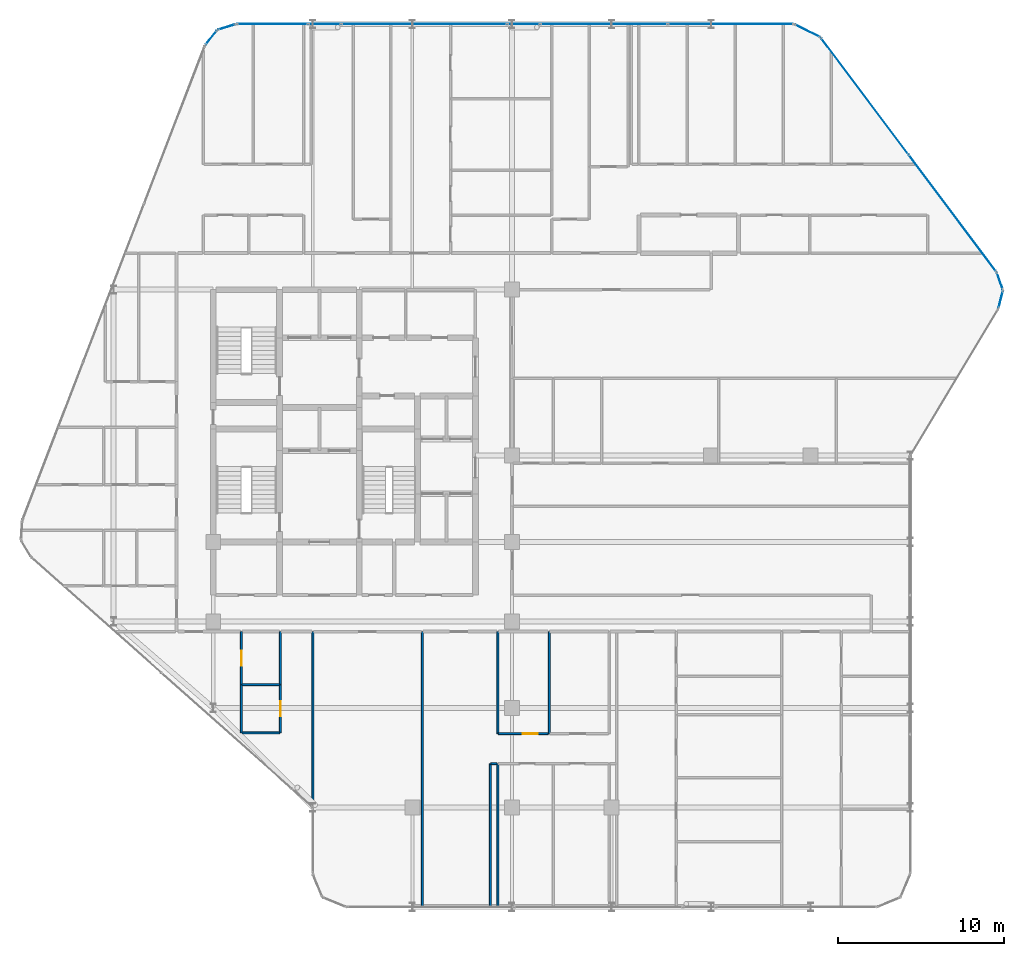
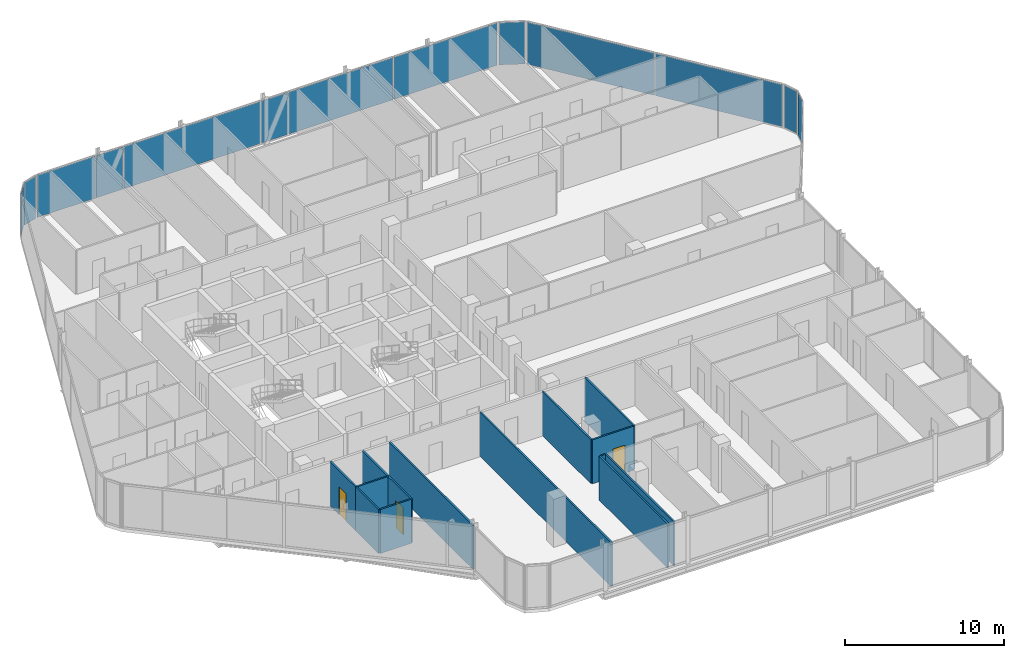
# One storey, part 24 of 31: 14 walls, 13 plates, 3 doors, 3 openings, 11 elements without a shape of their own.
"""IFC4 building model written with IfcOpenShell, lengths in metres."""

from ifc_helpers import new_model, si_unit, direction, frame, frame_2d, origin, origin_2d, place, context, subcontext, project, spatial, rectangle, extrude, material, layer, layer_set, type_object, element, fill, aggregate, save


model = new_model("IFC4")

# Units and contexts
model_context = context("Model", 3, precision=1e-05, world=origin(), true_north=direction((0.0, 1.0)))
body_context = subcontext(model_context, "Body", "Model", "MODEL_VIEW")
ifc_project = project(units=[si_unit("LENGTHUNIT", "METRE"), si_unit("AREAUNIT", "SQUARE_METRE"), si_unit("VOLUMEUNIT", "CUBIC_METRE"), si_unit("PLANEANGLEUNIT", "RADIAN"), si_unit("MASSUNIT", "GRAM", prefix="KILO")], contexts=[model_context])

# Site, building, storey
site_placement = place(None, origin())
site = spatial("IfcSite", under=ifc_project, at=site_placement, CompositionType="ELEMENT")
building_placement = place(site_placement, origin())
building = spatial("IfcBuilding", under=site, at=building_placement, Name="Keshet Zoharim Tower", CompositionType="ELEMENT")
storey_placement = place(building_placement, frame((0.0, 0.0, 129.800048828125)))
storey = spatial("IfcBuildingStorey", under=building, at=storey_placement, Name="L31", CompositionType="ELEMENT", Elevation=129.800048828125)

# Curtain wall, plate
ifc_material_1 = material(Name="Aluminium 6063-T6", Category="aluminium")
ifc_layer_1 = layer(ifc_material_1, 0.159912109375)
ifc_layer_set_1 = layer_set([ifc_layer_1], Name="Aluminium 6063-T6")
curtain_wall_type = type_object("IfcCurtainWallType", Name="CW-SYS-03", PredefinedType="NOTDEFINED", material=ifc_layer_set_1)
curtain_wall_1_placement = place(storey_placement, origin())
curtain_wall_1 = element("IfcCurtainWall", 1, at=curtain_wall_1_placement, inside=storey, type_object=curtain_wall_type, Name="L31 Unitised Curtain Wall 11", PredefinedType="NOTDEFINED")
ifc_material_2 = material(Name="Insulated Low-E Clear Glass", Category="glass")
ifc_layer_2 = layer(ifc_material_2, 0.035888671875)
ifc_layer_set_2 = layer_set([ifc_layer_2], Name="Insulated Low-E Clear Glass")
plate_type_1 = type_object("IfcPlateType", Name="CWP-01", PredefinedType="CURTAIN_PANEL", material=ifc_layer_set_2)
plate_1_placement = place(storey_placement, frame((14.8740234375, 53.08349609375, 0.06982421875), z_axis=(0.0, 0.0, 1.0), x_axis=(0.619124525989, 0.785292825205, 0.0)))
plate_1 = element("IfcPlate", 2, at=plate_1_placement, type_object=plate_type_1, Name="CW-03 panel 1.1", PredefinedType="CURTAIN_PANEL", context=body_context, shape_type="SweptSolid", body=[
    extrude(rectangle(XDim=1.045654296875, YDim=0.035888671875, at=origin_2d()), origin(), (0.0, 0.0, 1.0), 3.2451171875),
])
aggregate(curtain_wall_1, [plate_1])

curtain_wall_2_placement = place(storey_placement, origin())
curtain_wall_2 = element("IfcCurtainWall", 3, at=curtain_wall_2_placement, inside=storey, type_object=curtain_wall_type, Name="L31 Unitised Curtain Wall 12", PredefinedType="NOTDEFINED")
plate_2_placement = place(storey_placement, frame((15.8076171875, 53.724609375, 0.06982421875), z_axis=(0.0, 0.0, 1.0), x_axis=(0.955212151288, 0.295921857984, 0.0)))
plate_2 = element("IfcPlate", 4, at=plate_2_placement, type_object=plate_type_1, Name="CW-03 panel 1.1", PredefinedType="CURTAIN_PANEL", context=body_context, shape_type="SweptSolid", body=[
    extrude(rectangle(XDim=1.046142578125, YDim=0.035888671875, at=origin_2d()), origin(), (0.0, 0.0, 1.0), 3.2451171875),
])
aggregate(curtain_wall_2, [plate_2])

curtain_wall_3_placement = place(storey_placement, origin())
curtain_wall_3 = element("IfcCurtainWall", 5, at=curtain_wall_3_placement, inside=storey, type_object=curtain_wall_type, Name="L31 Unitised Curtain Wall 13", PredefinedType="NOTDEFINED")
ifc_layer_3 = layer(ifc_material_2, 0.031982421875)
ifc_layer_set_3 = layer_set([ifc_layer_3], Name="Insulated Low-E Clear Glass")
plate_type_2 = type_object("IfcPlateType", Name="CWP-02", PredefinedType="CURTAIN_PANEL", material=ifc_layer_set_3)
plate_3_placement = place(storey_placement, frame((18.56298828125, 53.89990234375, 0.06982421875), z_axis=(0.0, 0.0, 1.0), x_axis=(1.0, 0.0, 0.0)))
plate_3 = element("IfcPlate", 6, at=plate_3_placement, type_object=plate_type_2, Name="CW-03 panel 1.1", PredefinedType="CURTAIN_PANEL", context=body_context, shape_type="SweptSolid", body=[
    extrude(rectangle(XDim=4.23779296875, YDim=0.031982421875, at=origin_2d()), origin(), (0.0, 0.0, 1.0), 3.2451171875),
])
aggregate(curtain_wall_3, [plate_3])

curtain_wall_4_placement = place(storey_placement, origin())
curtain_wall_4 = element("IfcCurtainWall", 7, at=curtain_wall_4_placement, inside=storey, type_object=curtain_wall_type, Name="L31 Unitised Curtain Wall 13 Part 3", PredefinedType="NOTDEFINED")
plate_4_placement = place(storey_placement, frame((27.715087890625, 53.89990234375, 0.06982421875), z_axis=(0.0, 0.0, 1.0), x_axis=(1.0, 0.0, 0.0)))
plate_4 = element("IfcPlate", 8, at=plate_4_placement, type_object=plate_type_2, Name="CW-03 panel 1.1", PredefinedType="CURTAIN_PANEL", context=body_context, shape_type="SweptSolid", body=[
    extrude(rectangle(XDim=9.933837890625, YDim=0.031982421875, at=origin_2d()), origin(), (0.0, 0.0, 1.0), 3.2451171875),
])
aggregate(curtain_wall_4, [plate_4])

# Curtain wall, plates
curtain_wall_5_placement = place(storey_placement, origin())
curtain_wall_5 = element("IfcCurtainWall", 9, at=curtain_wall_5_placement, inside=storey, type_object=curtain_wall_type, Name="L31 Unitised Curtain Wall 13 Part 5", PredefinedType="NOTDEFINED")
plate_5_placement = place(storey_placement, frame((38.54345703125, 53.89990234375, 0.06982421875), z_axis=(0.0, 0.0, 1.0), x_axis=(1.0, 0.0, 0.0)))
plate_5 = element("IfcPlate", 10, at=plate_5_placement, type_object=plate_type_2, Name="CW-03 panel 1.1", PredefinedType="CURTAIN_PANEL", context=body_context, shape_type="SweptSolid", body=[
    extrude(rectangle(XDim=7.591064453125, YDim=0.031982421875, at=origin_2d()), origin(), (0.0, 0.0, 1.0), 3.2451171875),
])
plate_6_placement = place(storey_placement, frame((46.16943359375, 53.89990234375, 0.06982421875), z_axis=(0.0, 0.0, 1.0), x_axis=(1.0, 0.0, 0.0)))
plate_6 = element("IfcPlate", 11, at=plate_6_placement, type_object=plate_type_2, Name="CW-03 panel 2.1", PredefinedType="CURTAIN_PANEL", context=body_context, shape_type="SweptSolid", body=[
    extrude(rectangle(XDim=7.52099609375, YDim=0.031982421875, at=origin_2d()), origin(), (0.0, 0.0, 1.0), 3.2451171875),
])
aggregate(curtain_wall_5, [plate_5, plate_6])

# Curtain wall, plate
curtain_wall_6_placement = place(storey_placement, origin())
curtain_wall_6 = element("IfcCurtainWall", 12, at=curtain_wall_6_placement, inside=storey, type_object=curtain_wall_type, Name="L31 Unitised Curtain Wall 14", PredefinedType="NOTDEFINED")
plate_7_placement = place(storey_placement, frame((50.800048828125, 53.5, 0.06982421875), z_axis=(0.0, 0.0, 1.0), x_axis=(0.894427191001, -0.447213595499, 0.0)))
plate_7 = element("IfcPlate", 13, at=plate_7_placement, type_object=plate_type_2, Name="CW-03 panel 1.1", PredefinedType="CURTAIN_PANEL", context=body_context, shape_type="SweptSolid", body=[
    extrude(rectangle(XDim=1.64892578125, YDim=0.031982421875, at=origin_2d()), origin(), (0.0, 0.0, 1.0), 3.2451171875),
])
aggregate(curtain_wall_6, [plate_7])

# Curtain wall, plates
curtain_wall_7_placement = place(storey_placement, origin())
curtain_wall_7 = element("IfcCurtainWall", 14, at=curtain_wall_7_placement, inside=storey, type_object=curtain_wall_type, Name="L31 Unitised Curtain Wall 15", PredefinedType="NOTDEFINED")
plate_8_placement = place(storey_placement, frame((54.2587890625, 49.554931640625, 0.06982421875), z_axis=(0.0, 0.0, 1.0), x_axis=(0.600000000002, -0.799999999998, 0.0)))
plate_8 = element("IfcPlate", 15, at=plate_8_placement, type_object=plate_type_2, Name="CW-03 panel 1.1", PredefinedType="CURTAIN_PANEL", context=body_context, shape_type="SweptSolid", body=[
    extrude(rectangle(XDim=8.722412109375, YDim=0.031982421875, at=origin_2d()), origin(), (0.0, 0.0, 1.0), 3.2451171875),
])
plate_9_placement = place(storey_placement, frame((59.5341796875, 42.52099609375, 0.06982421875), z_axis=(0.0, 0.0, 1.0), x_axis=(0.600000000002, -0.799999999998, 0.0)))
plate_9 = element("IfcPlate", 16, at=plate_9_placement, type_object=plate_type_2, Name="CW-03 panel 2.1", PredefinedType="CURTAIN_PANEL", context=body_context, shape_type="SweptSolid", body=[
    extrude(rectangle(XDim=8.722412109375, YDim=0.031982421875, at=origin_2d()), origin(), (0.0, 0.0, 1.0), 3.2451171875),
])
aggregate(curtain_wall_7, [plate_8, plate_9])

# Curtain wall, plate
curtain_wall_8_placement = place(storey_placement, origin())
curtain_wall_8 = element("IfcCurtainWall", 17, at=curtain_wall_8_placement, inside=storey, type_object=curtain_wall_type, Name="L31 Unitised Curtain Wall 16", PredefinedType="NOTDEFINED")
plate_10_placement = place(storey_placement, frame((62.3916015625, 38.427490234375, 0.06982421875), z_axis=(0.0, 0.0, 1.0), x_axis=(0.340297354046, -0.940317877544, 0.0)))
plate_10 = element("IfcPlate", 18, at=plate_10_placement, type_object=plate_type_2, Name="CW-03 panel 1.1", PredefinedType="CURTAIN_PANEL", context=body_context, shape_type="SweptSolid", body=[
    extrude(rectangle(XDim=1.026611328125, YDim=0.031982421875, at=origin_2d()), origin(), (0.0, 0.0, 1.0), 3.2451171875),
])
aggregate(curtain_wall_8, [plate_10])

curtain_wall_9_placement = place(storey_placement, origin())
curtain_wall_9 = element("IfcCurtainWall", 19, at=curtain_wall_9_placement, inside=storey, type_object=curtain_wall_type, Name="L31 Unitised Curtain Wall 17", PredefinedType="NOTDEFINED")
plate_11_placement = place(storey_placement, frame((62.448974609375, 37.31298828125, 0.06982421875), z_axis=(0.0, 0.0, 1.0), x_axis=(-0.241728770141, -0.970343857447, 0.0)))
plate_11 = element("IfcPlate", 20, at=plate_11_placement, type_object=plate_type_2, Name="CW-03 panel 1.1", PredefinedType="CURTAIN_PANEL", context=body_context, shape_type="SweptSolid", body=[
    extrude(rectangle(XDim=1.026611328125, YDim=0.031982421875, at=origin_2d()), origin(), (0.0, 0.0, 1.0), 3.2451171875),
])
aggregate(curtain_wall_9, [plate_11])

curtain_wall_10_placement = place(storey_placement, origin())
curtain_wall_10 = element("IfcCurtainWall", 21, at=curtain_wall_10_placement, inside=storey, type_object=curtain_wall_type, Name="L31 Unitised Curtain Wall 13 Part 2", PredefinedType="NOTDEFINED")
ifc_material_3 = material(Name="Insulated Aluminium Spandrel Panel", Category="aluminium")
ifc_layer_4 = layer(ifc_material_3, 0.031982421875)
ifc_layer_set_4 = layer_set([ifc_layer_4], Name="Insulated Aluminium Spandrel Panel")
plate_type_3 = type_object("IfcPlateType", Name="CWP-05", PredefinedType="CURTAIN_PANEL", material=ifc_layer_set_4)
plate_12_placement = place(storey_placement, frame((21.715087890625, 53.89990234375, 0.06982421875), z_axis=(0.0, 0.0, 1.0), x_axis=(1.0, 0.0, 0.0)))
plate_12 = element("IfcPlate", 22, at=plate_12_placement, type_object=plate_type_3, Name="CW-03 spandrel panel 1.1", PredefinedType="CURTAIN_PANEL", context=body_context, shape_type="SweptSolid", body=[
    extrude(rectangle(XDim=1.92626953125, YDim=0.031982421875, at=origin_2d()), origin(), (0.0, 0.0, 1.0), 3.2451171875),
])
aggregate(curtain_wall_10, [plate_12])

curtain_wall_11_placement = place(storey_placement, origin())
curtain_wall_11 = element("IfcCurtainWall", 23, at=curtain_wall_11_placement, inside=storey, type_object=curtain_wall_type, Name="L31 Unitised Curtain Wall 13 Part 4", PredefinedType="NOTDEFINED")
plate_13_placement = place(storey_placement, frame((33.715087890625, 53.89990234375, 0.06982421875), z_axis=(0.0, 0.0, 1.0), x_axis=(1.0, 0.0, 0.0)))
plate_13 = element("IfcPlate", 24, at=plate_13_placement, type_object=plate_type_3, Name="CW-03 spandrel panel 1.1", PredefinedType="CURTAIN_PANEL", context=body_context, shape_type="SweptSolid", body=[
    extrude(rectangle(XDim=1.92626953125, YDim=0.031982421875, at=origin_2d()), origin(), (0.0, 0.0, 1.0), 3.2451171875),
])
aggregate(curtain_wall_11, [plate_13])

# Wall, opening, door
ifc_material_4 = material(Name="Gypsum Plasterboard", Category="gypsum")
ifc_layer_5 = layer(ifc_material_4, 0.1201171875)
ifc_layer_set_5 = layer_set([ifc_layer_5], Name="Gypsum Plasterboard")
wall_type_1 = type_object("IfcWallType", Name="WL-PART-120", PredefinedType="PARTITIONING", material=ifc_layer_set_5)
wall_1_placement = place(storey_placement, frame((16.699951171875, 14.10009765625, 0.0), z_axis=(0.0, 0.0, 1.0), x_axis=(0.0, 1.0, 0.0)))
wall_1 = element("IfcWall", 25, at=wall_1_placement, inside=storey, type_object=wall_type_1, Name="L31 Interior Wall 020", PredefinedType="PARTITIONING", context=body_context, shape_type="SweptSolid", body=[
    extrude(rectangle(XDim=3.199951171875, YDim=0.1201171875, at=frame_2d((1.60009765625, 0.0))), origin(), (0.0, 0.0, 1.0), 3.385009765625),
])
opening_1_placement = place(wall_1_placement, frame((1.14990234375, 0.0, 0.0)))
opening_1 = element("IfcOpeningElement", 26, at=opening_1_placement, cuts=wall_1, Name="Opening D-IN90", PredefinedType="OPENING", context=body_context, shape_type="SweptSolid", body=[
    extrude(rectangle(XDim=0.89990234375, YDim=2.14990234375, at=frame_2d((0.449951171875, 1.074951171875))), frame((0.0, 0.070068359375, 0.0), z_axis=(0.0, -1.0, 0.0), x_axis=(1.0, 0.0, 0.0)), (0.0, 0.0, 1.0), 0.14013671875),
])
ifc_material_5 = material(Name="Hardwood Timber", Category="wood")
door_type_1 = type_object("IfcDoorType", Name="DR-INT-090", OperationType="NOTDEFINED", PredefinedType="DOOR", material=ifc_material_5)
door_1_placement = place(opening_1_placement, origin())
door_1 = element("IfcDoor", 27, at=door_1_placement, inside=storey, type_object=door_type_1, Name="Apartment 3101 Kitchenette Door", OperationType="SINGLE_SWING_LEFT", OverallHeight=2.14990234375, OverallWidth=0.89990234375, PredefinedType="DOOR", context=body_context, shape_type="SweptSolid", body=[
    extrude(rectangle(XDim=0.89990234375, YDim=2.14990234375, at=frame_2d((0.449951171875, 1.074951171875))), frame((0.0, 0.02490234375, 0.0), z_axis=(0.0, -1.0, 0.0), x_axis=(1.0, 0.0, 0.0)), (0.0, 0.0, 1.0), 0.050048828125),
])
fill(opening_1, door_1)

# Walls
wall_2_placement = place(storey_placement, frame((19.050048828125, 14.10009765625, 0.0), z_axis=(0.0, 0.0, 1.0), x_axis=(0.0, 1.0, 0.0)))
element("IfcWall", 28, at=wall_2_placement, inside=storey, type_object=wall_type_1, Name="L31 Interior Wall 029", PredefinedType="PARTITIONING", context=body_context, shape_type="SweptSolid", body=[
    extrude(rectangle(XDim=3.199951171875, YDim=0.1201171875, at=frame_2d((1.60009765625, 0.0))), origin(), (0.0, 0.0, 1.0), 3.385009765625),
])
wall_3_placement = place(storey_placement, frame((21.0, 6.7099609375, 0.0), z_axis=(0.0, 0.0, 1.0), x_axis=(0.0, 1.0, 0.0)))
element("IfcWall", 29, at=wall_3_placement, inside=storey, type_object=wall_type_1, Name="L31 Interior Wall 033", PredefinedType="PARTITIONING", context=body_context, shape_type="SweptSolid", body=[
    extrude(rectangle(XDim=10.590087890625, YDim=0.1201171875, at=frame_2d((5.294921875, 0.0))), origin(), (0.0, 0.0, 1.0), 3.385009765625),
])
wall_4_placement = place(storey_placement, frame((27.60009765625, 0.7099609375, 0.0), z_axis=(0.0, 0.0, 1.0), x_axis=(0.0, 1.0, 0.0)))
element("IfcWall", 30, at=wall_4_placement, inside=storey, type_object=wall_type_1, Name="L31 Interior Wall 052", PredefinedType="PARTITIONING", context=body_context, shape_type="SweptSolid", body=[
    extrude(rectangle(XDim=16.590087890625, YDim=0.1201171875, at=frame_2d((8.294921875, 0.0))), origin(), (0.0, 0.0, 1.0), 3.385009765625),
])
for number, where, z_axis, x_axis, name in (
    (31, (31.699951171875, 0.7099609375, 0.0), (0.0, 0.0, 1.0), (0.0, 1.0, 0.0), "L31 Interior Wall 064"),
    (32, (32.14990234375, 0.7099609375, 0.0), (0.0, 0.0, 1.0), (0.0, 1.0, 0.0), "L31 Interior Wall 065"),
):
    element("IfcWall", number, at=place(storey_placement, frame(where, z_axis=z_axis, x_axis=x_axis)), inside=storey, type_object=wall_type_1, Name=name, PredefinedType="PARTITIONING", context=body_context, shape_type="SweptSolid", body=[
        extrude(rectangle(XDim=8.64013671875, YDim=0.1201171875, at=frame_2d((4.320068359375, 0.0))), origin(), (0.0, 0.0, 1.0), 3.385009765625),
    ])
wall_5_placement = place(storey_placement, frame((32.14990234375, 11.14990234375, 0.0), z_axis=(0.0, 0.0, 1.0), x_axis=(0.0, 1.0, 0.0)))
element("IfcWall", 33, at=wall_5_placement, inside=storey, type_object=wall_type_1, Name="L31 Interior Wall 066", PredefinedType="PARTITIONING", context=body_context, shape_type="SweptSolid", body=[
    extrude(rectangle(XDim=6.150146484375, YDim=0.1201171875, at=frame_2d((3.0751953125, 0.0))), origin(), (0.0, 0.0, 1.0), 3.385009765625),
])
wall_6_placement = place(storey_placement, frame((31.735107421875, 9.35009765625, 0.0), z_axis=(0.0, 0.0, 1.0), x_axis=(1.0, 0.0, 0.0)))
element("IfcWall", 34, at=wall_6_placement, inside=storey, type_object=wall_type_1, Name="L31 Interior Wall 110", PredefinedType="PARTITIONING", context=body_context, shape_type="SweptSolid", body=[
    extrude(rectangle(XDim=0.35986328125, YDim=0.1201171875, at=frame_2d((0.179931640625, 0.0))), origin(), (0.0, 0.0, 1.0), 3.385009765625),
])

# Wall, opening, door
wall_7_placement = place(storey_placement, frame((32.18505859375, 11.14990234375, 0.0), z_axis=(0.0, 0.0, 1.0), x_axis=(1.0, 0.0, 0.0)))
wall_7 = element("IfcWall", 35, at=wall_7_placement, inside=storey, type_object=wall_type_1, Name="L31 Interior Wall 113", PredefinedType="PARTITIONING", context=body_context, shape_type="SweptSolid", body=[
    extrude(rectangle(XDim=2.996826171875, YDim=0.1201171875, at=frame_2d((1.49853515625, 0.0))), origin(), (0.0, 0.0, 1.0), 3.385009765625),
])
opening_2_placement = place(wall_7_placement, frame((1.469970703125, 0.0, 0.0)))
opening_2 = element("IfcOpeningElement", 36, at=opening_2_placement, cuts=wall_7, Name="Opening D-IN90", PredefinedType="OPENING", context=body_context, shape_type="SweptSolid", body=[
    extrude(rectangle(XDim=0.89990234375, YDim=2.14990234375, at=frame_2d((0.449951171875, 1.074951171875))), frame((0.0, 0.070068359375, 0.0), z_axis=(0.0, -1.0, 0.0), x_axis=(1.0, 0.0, 0.0)), (0.0, 0.0, 1.0), 0.14013671875),
])
door_2_placement = place(opening_2_placement, origin())
door_2 = element("IfcDoor", 37, at=door_2_placement, inside=storey, type_object=door_type_1, Name="Apartment 3102 Kitchen Door", OperationType="SINGLE_SWING_LEFT", OverallHeight=2.14990234375, OverallWidth=0.89990234375, PredefinedType="DOOR", context=body_context, shape_type="SweptSolid", body=[
    extrude(rectangle(XDim=0.89990234375, YDim=2.14990234375, at=frame_2d((0.449951171875, 1.074951171875))), frame((0.0, 0.02490234375, 0.0), z_axis=(0.0, -1.0, 0.0), x_axis=(1.0, 0.0, 0.0)), (0.0, 0.0, 1.0), 0.050048828125),
])
fill(opening_2, door_2)

# Wall
ifc_layer_6 = layer(ifc_material_4, 0.1201171875)
ifc_layer_set_6 = layer_set([ifc_layer_6], Name="Gypsum Plasterboard")
wall_type_2 = type_object("IfcWallType", Name="WL-WET-120", PredefinedType="PARTITIONING", material=ifc_layer_set_6)
wall_8_placement = place(storey_placement, frame((16.699951171875, 11.199951171875, 0.0), z_axis=(0.0, 0.0, 1.0), x_axis=(0.0, 1.0, 0.0)))
element("IfcWall", 38, at=wall_8_placement, inside=storey, type_object=wall_type_2, Name="L31 Interior Wall 019", PredefinedType="PARTITIONING", context=body_context, shape_type="SweptSolid", body=[
    extrude(rectangle(XDim=2.900146484375, YDim=0.1201171875, at=frame_2d((1.4501953125, 0.0))), origin(), (0.0, 0.0, 1.0), 3.385009765625),
])

# Wall, opening, door
wall_9_placement = place(storey_placement, frame((19.050048828125, 11.199951171875, 0.0), z_axis=(0.0, 0.0, 1.0), x_axis=(0.0, 1.0, 0.0)))
wall_9 = element("IfcWall", 39, at=wall_9_placement, inside=storey, type_object=wall_type_2, Name="L31 Interior Wall 028", PredefinedType="PARTITIONING", context=body_context, shape_type="SweptSolid", body=[
    extrude(rectangle(XDim=2.900146484375, YDim=0.1201171875, at=frame_2d((1.4501953125, 0.0))), origin(), (0.0, 0.0, 1.0), 3.385009765625),
])
opening_3_placement = place(wall_9_placement, frame((1.0, 0.0, 0.0)))
opening_3 = element("IfcOpeningElement", 40, at=opening_3_placement, cuts=wall_9, Name="Opening D-WT90", PredefinedType="OPENING", context=body_context, shape_type="SweptSolid", body=[
    extrude(rectangle(XDim=0.89990234375, YDim=2.10009765625, at=frame_2d((0.449951171875, 1.050048828125))), frame((0.0, 0.070068359375, 0.0), z_axis=(0.0, -1.0, 0.0), x_axis=(1.0, 0.0, 0.0)), (0.0, 0.0, 1.0), 0.14013671875),
])
door_type_2 = type_object("IfcDoorType", Name="DR-WET-090", OperationType="NOTDEFINED", PredefinedType="DOOR", material=ifc_material_5)
door_3_placement = place(opening_3_placement, origin())
door_3 = element("IfcDoor", 41, at=door_3_placement, inside=storey, type_object=door_type_2, Name="Apartment 3101 Bathroom Door", OperationType="SINGLE_SWING_RIGHT", OverallHeight=2.10009765625, OverallWidth=0.89990234375, PredefinedType="DOOR", context=body_context, shape_type="SweptSolid", body=[
    extrude(rectangle(XDim=0.89990234375, YDim=2.10009765625, at=frame_2d((0.449951171875, 1.050048828125))), frame((0.0, 0.02490234375, 0.0), z_axis=(0.0, -1.0, 0.0), x_axis=(1.0, 0.0, 0.0)), (0.0, 0.0, 1.0), 0.050048828125),
])
fill(opening_3, door_3)

# Walls
wall_10_placement = place(storey_placement, frame((35.25, 11.14990234375, 0.0), z_axis=(0.0, 0.0, 1.0), x_axis=(0.0, 1.0, 0.0)))
element("IfcWall", 42, at=wall_10_placement, inside=storey, type_object=wall_type_2, Name="L31 Interior Wall 071", PredefinedType="PARTITIONING", context=body_context, shape_type="SweptSolid", body=[
    extrude(rectangle(XDim=6.150146484375, YDim=0.1201171875, at=frame_2d((3.0751953125, 0.0))), origin(), (0.0, 0.0, 1.0), 3.385009765625),
])
for number, where, z_axis, x_axis, name in (
    (43, (16.7451171875, 11.199951171875, 0.0), (0.0, 0.0, 1.0), (1.0, 0.0, 0.0), "L31 Interior Wall 115"),
    (44, (16.7451171875, 14.10009765625, 0.0), (0.0, 0.0, 1.0), (1.0, 0.0, 0.0), "L31 Interior Wall 118"),
):
    element("IfcWall", number, at=place(storey_placement, frame(where, z_axis=z_axis, x_axis=x_axis)), inside=storey, type_object=wall_type_2, Name=name, PredefinedType="PARTITIONING", context=body_context, shape_type="SweptSolid", body=[
        extrude(rectangle(XDim=2.259765625, YDim=0.1201171875, at=frame_2d((1.1298828125, 0.0))), origin(), (0.0, 0.0, 1.0), 3.385009765625),
    ])

save(model, "model.ifc")
